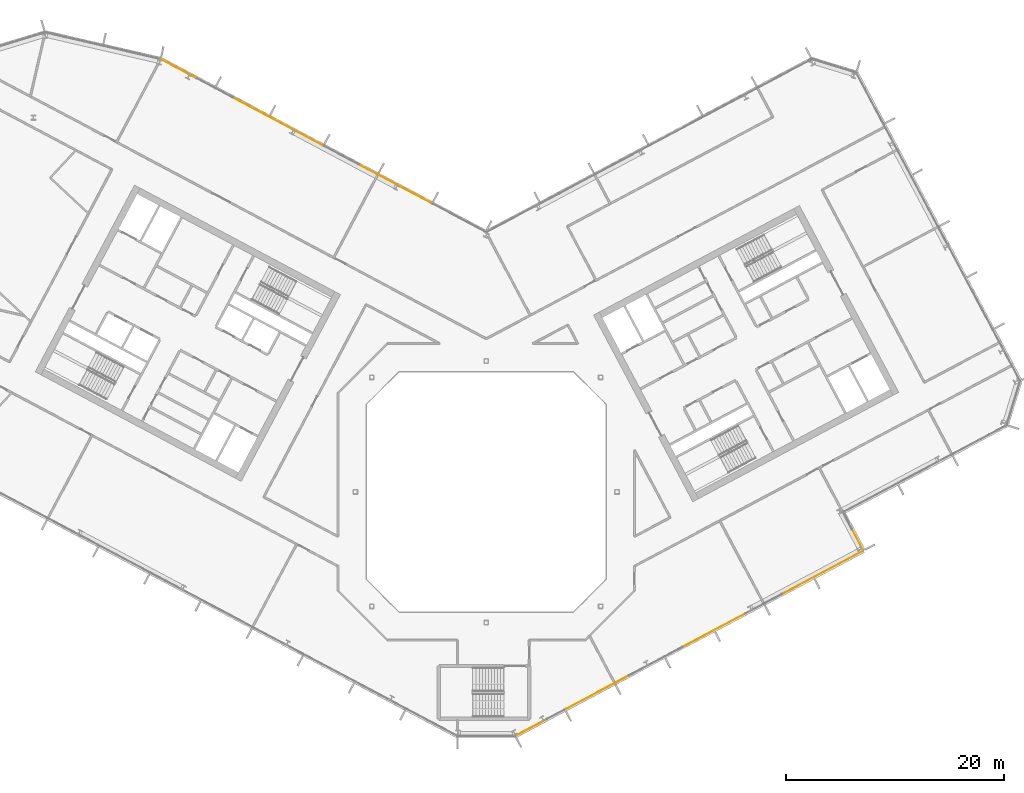
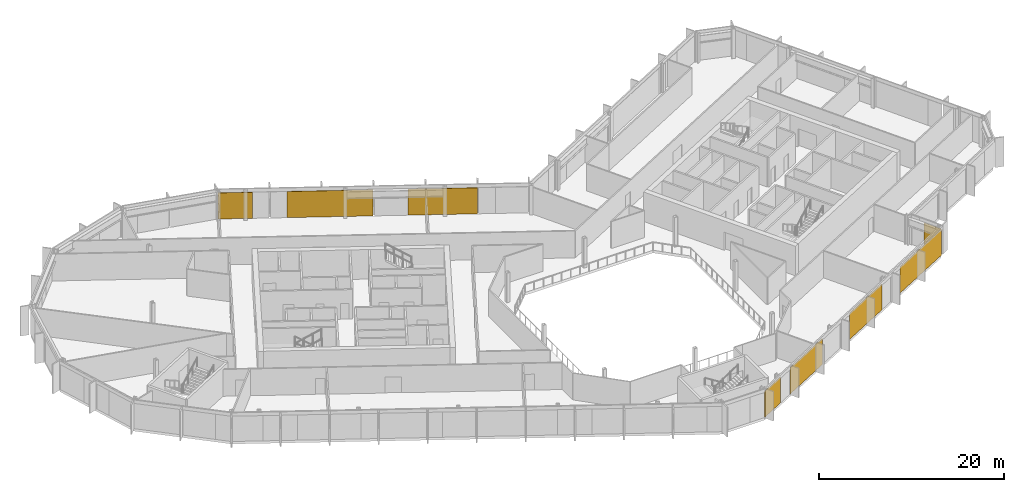
# One storey, part 24 of 27: 8 coverings, 3 elements without a shape of their own.
"""IFC4 building model written with IfcOpenShell, lengths in metres."""

from ifc_helpers import new_model, si_unit, direction, frame, origin, origin_2d, place, context, subcontext, project, spatial, rectangle, extrude, material, layer, layer_set, type_object, element, aggregate, save


model = new_model("IFC4")

# Units and contexts
model_context = context("Model", 3, precision=1e-05, world=origin(), true_north=direction((0.0, 1.0)))
body_context = subcontext(model_context, "Body", "Model", "MODEL_VIEW")
ifc_project = project(units=[si_unit("LENGTHUNIT", "METRE"), si_unit("AREAUNIT", "SQUARE_METRE"), si_unit("VOLUMEUNIT", "CUBIC_METRE"), si_unit("PLANEANGLEUNIT", "RADIAN"), si_unit("MASSUNIT", "GRAM", prefix="KILO")], contexts=[model_context])

# Site, building, storey
site_placement = place(None, origin())
site = spatial("IfcSite", under=ifc_project, at=site_placement, CompositionType="ELEMENT")
building_placement = place(site_placement, origin())
building = spatial("IfcBuilding", under=site, at=building_placement, Name="Cormorant Relay Tower", CompositionType="ELEMENT")
storey_placement = place(building_placement, frame((0.0, 0.0, 240.300048828125)))
storey = spatial("IfcBuildingStorey", under=building, at=storey_placement, Name="L53", CompositionType="ELEMENT", Elevation=240.300048828125)

# Curtain wall, coverings
ifc_material_1 = material(Name="Aluminium 6063-T6 anodised bronze", Category="aluminium")
ifc_layer_1 = layer(ifc_material_1, 0.199951171875)
ifc_layer_set_1 = layer_set([ifc_layer_1], Name="CW1 unitised bronze curtain wall with vertical fins")
curtain_wall_type = type_object("IfcCurtainWallType", Name="CW1 unitised bronze curtain wall with vertical fins", PredefinedType="NOTDEFINED", material=ifc_layer_set_1)
curtain_wall_1_placement = place(storey_placement, origin())
curtain_wall_1 = element("IfcCurtainWall", 1, at=curtain_wall_1_placement, inside=storey, type_object=curtain_wall_type, Name="CW1 curtain wall 2", PredefinedType="NOTDEFINED")
ifc_material_2 = material(Name="Pale bronze anodised aluminium insulated panel", Category="aluminium")
ifc_layer_2 = layer(ifc_material_2, 0.0400390625)
ifc_layer_set_2 = layer_set([ifc_layer_2], Name="CW1 pale bronze insulated panel 40")
covering_type = type_object("IfcCoveringType", Name="CW1 pale bronze insulated panel 40", PredefinedType="CLADDING", material=ifc_layer_set_2)
covering_1_placement = place(storey_placement, frame((4.14453125, -21.60302734375, 0.0), z_axis=(0.0, 0.0, 1.0), x_axis=(0.882947592859, 0.469471562786, 0.0)))
covering_1 = element("IfcCovering", 2, at=covering_1_placement, type_object=covering_type, Name="CW1 panel S00", PredefinedType="CLADDING", context=body_context, shape_type="SweptSolid", body=[
    extrude(rectangle(XDim=3.216552734375, YDim=0.0400390625, at=origin_2d()), origin(), (0.0, 0.0, 1.0), 3.449951171875),
])
covering_2_placement = place(storey_placement, frame((10.1923828125, -18.38720703125, 0.0), z_axis=(0.0, 0.0, 1.0), x_axis=(0.882947592859, 0.469471562786, 0.0)))
covering_2 = element("IfcCovering", 3, at=covering_2_placement, type_object=covering_type, Name="CW1 panel S02", PredefinedType="CLADDING", context=body_context, shape_type="SweptSolid", body=[
    extrude(rectangle(XDim=6.5830078125, YDim=0.0400390625, at=origin_2d()), origin(), (0.0, 0.0, 1.0), 3.449951171875),
])
covering_3_placement = place(storey_placement, frame((20.905517578125, -12.69091796875, 0.0), z_axis=(0.0, 0.0, 1.0), x_axis=(0.882947592859, 0.469471562786, 0.0)))
covering_3 = element("IfcCovering", 4, at=covering_3_placement, type_object=covering_type, Name="CW1 panel S05", PredefinedType="CLADDING", context=body_context, shape_type="SweptSolid", body=[
    extrude(rectangle(XDim=6.5830078125, YDim=0.0400390625, at=origin_2d()), origin(), (0.0, 0.0, 1.0), 3.449951171875),
])
covering_4_placement = place(storey_placement, frame((30.856689453125, -7.39990234375, 0.0), z_axis=(0.0, 0.0, 1.0), x_axis=(0.882947592859, 0.469471562786, 0.0)))
covering_4 = element("IfcCovering", 5, at=covering_4_placement, type_object=covering_type, Name="CW1 panel S08", PredefinedType="CLADDING", context=body_context, shape_type="SweptSolid", body=[
    extrude(rectangle(XDim=8.4580078125, YDim=0.0400390625, at=origin_2d()), origin(), (0.0, 0.0, 1.0), 3.449951171875),
])
aggregate(curtain_wall_1, [covering_1, covering_2, covering_3, covering_4])

# Curtain wall, covering
curtain_wall_2_placement = place(storey_placement, origin())
curtain_wall_2 = element("IfcCurtainWall", 6, at=curtain_wall_2_placement, inside=storey, type_object=curtain_wall_type, Name="CW1 curtain wall 3", PredefinedType="NOTDEFINED")
covering_5_placement = place(storey_placement, frame((34.065185546875, -4.383056640625, 0.0), z_axis=(0.0, 0.0, 1.0), x_axis=(-0.469471562786, 0.882947592859, 0.0)))
covering_5 = element("IfcCovering", 7, at=covering_5_placement, type_object=covering_type, Name="CW1 panel S00", PredefinedType="CLADDING", context=body_context, shape_type="SweptSolid", body=[
    extrude(rectangle(XDim=2.125, YDim=0.0400390625, at=origin_2d()), origin(), (0.0, 0.0, 1.0), 3.449951171875),
])
aggregate(curtain_wall_2, [covering_5])

# Curtain wall, coverings
curtain_wall_3_placement = place(storey_placement, origin())
curtain_wall_3 = element("IfcCurtainWall", 8, at=curtain_wall_3_placement, inside=storey, type_object=curtain_wall_type, Name="CW1 curtain wall 9", PredefinedType="NOTDEFINED")
covering_6_placement = place(storey_placement, frame((-8.359130859375, 28.251220703125, 0.0), z_axis=(0.0, 0.0, 1.0), x_axis=(-0.882947592859, 0.469471562786, 0.0)))
covering_6 = element("IfcCovering", 9, at=covering_6_placement, type_object=covering_type, Name="CW1 panel S02", PredefinedType="CLADDING", context=body_context, shape_type="SweptSolid", body=[
    extrude(rectangle(XDim=7.528076171875, YDim=0.0400390625, at=origin_2d()), origin(), (0.0, 0.0, 1.0), 3.449951171875),
])
covering_7_placement = place(storey_placement, frame((-19.11181640625, 33.968505859375, 0.0), z_axis=(0.0, 0.0, 1.0), x_axis=(-0.882947592859, 0.469471562786, 0.0)))
covering_7 = element("IfcCovering", 10, at=covering_7_placement, type_object=covering_type, Name="CW1 panel S04", PredefinedType="CLADDING", context=body_context, shape_type="SweptSolid", body=[
    extrude(rectangle(XDim=9.327880859375, YDim=0.0400390625, at=origin_2d()), origin(), (0.0, 0.0, 1.0), 3.449951171875),
])
covering_8_placement = place(storey_placement, frame((-28.20263671875, 38.80224609375, 0.0), z_axis=(0.0, 0.0, 1.0), x_axis=(-0.882947592859, 0.469471562786, 0.0)))
covering_8 = element("IfcCovering", 11, at=covering_8_placement, type_object=covering_type, Name="CW1 panel S07", PredefinedType="CLADDING", context=body_context, shape_type="SweptSolid", body=[
    extrude(rectangle(XDim=3.763916015625, YDim=0.0400390625, at=origin_2d()), origin(), (0.0, 0.0, 1.0), 3.449951171875),
])
aggregate(curtain_wall_3, [covering_6, covering_7, covering_8])

save(model, "model.ifc")
